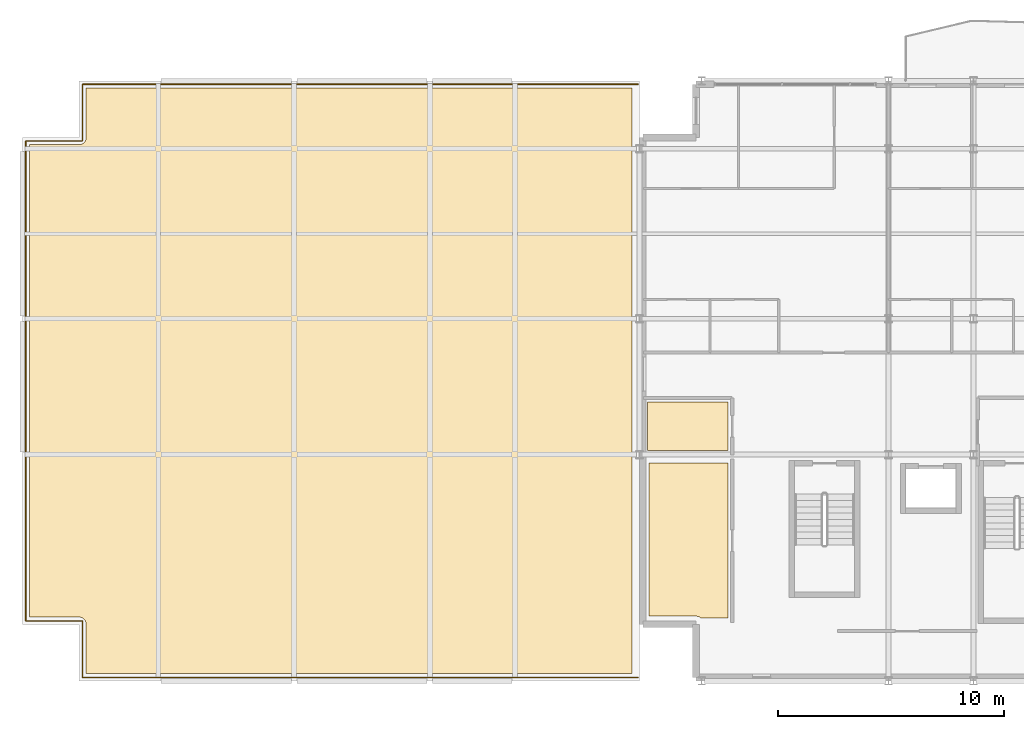
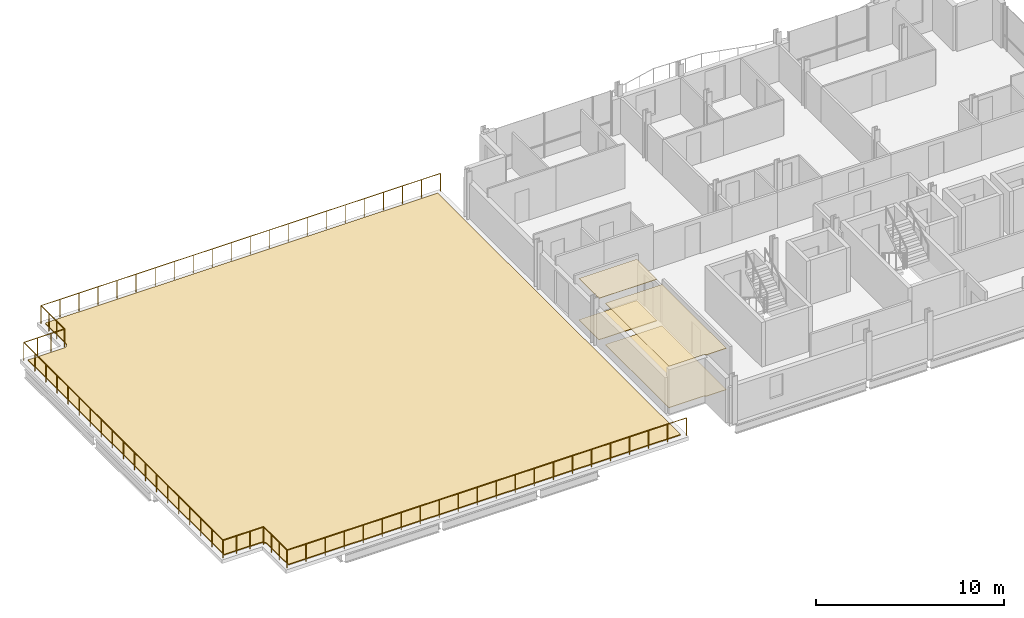
# One storey, part 16 of 17: 5 coverings, 1 railing.
"""IFC4 building model written with IfcOpenShell, lengths in metres."""

import ifcopenshell
import ifcopenshell.guid

model = None  # the IFC model being written
_history = None  # IfcOwnerHistory: only IFC2X3 demands one
_inside = {}  # id of a spatial element -> (the spatial element, [elements in it])
_under = {}  # id of a project, library or spatial element -> (it, [spatial elements below it])
_declared = {}  # id of a project -> (the project, [libraries it declares])
_typed = {}  # id of a type object -> (the type object, [elements of that type])
_made_of = {}  # id of a material, layer set ... -> (it, [elements and type objects made of it])


def new_model(schema):
    """Start an empty IFC model of exactly this schema.

    Asked for "IFC4X3", IfcOpenShell would pick the latest addendum, in which some entities
    have other attributes; the version numbers below select the first issue.
    IFC2X3 requires an IfcOwnerHistory on every rooted entity: one is made here for all.
    """
    global model, _history
    if schema == "IFC4X3":
        model = ifcopenshell.file(schema_version=(4, 3, 0, 0))
    else:
        model = ifcopenshell.file(schema=schema)
    _inside.clear()
    _under.clear()
    _declared.clear()
    _typed.clear()
    _made_of.clear()
    _history = None
    if model.schema == "IFC2X3":
        org = make("IfcOrganization", Name="unknown")
        user = make(
            "IfcPersonAndOrganization",
            ThePerson=make("IfcPerson", FamilyName="unknown"),
            TheOrganization=org,
        )
        app = make(
            "IfcApplication",
            ApplicationDeveloper=org,
            Version="unknown",
            ApplicationFullName="unknown",
            ApplicationIdentifier="unknown",
        )
        _history = make(
            "IfcOwnerHistory",
            OwningUser=user,
            OwningApplication=app,
            ChangeAction="ADDED",
            CreationDate=0,
        )
    return model


def make(cls, **values):
    """One entity of the class cls with the attributes given. An attribute that is None is left unset."""
    return model.create_entity(
        cls, **{name: value for name, value in values.items() if value is not None}
    )


def rooted(cls, **values):
    """An entity with a GlobalId (a new one), such as an element, a storey or a relation."""
    return make(cls, GlobalId=ifcopenshell.guid.new(), OwnerHistory=_history, **values)


def si_unit(unit_type, name, prefix=None):
    """IfcSIUnit, for example si_unit("LENGTHUNIT", "METRE", prefix="MILLI")."""
    return make("IfcSIUnit", UnitType=unit_type, Prefix=prefix, Name=name)


def assignment(units):
    """IfcUnitAssignment: the units of a project."""
    return None if units is None else make("IfcUnitAssignment", Units=units)


def point(xyz):
    """IfcCartesianPoint."""
    return None if xyz is None else make("IfcCartesianPoint", Coordinates=xyz)


def direction(xyz):
    """IfcDirection."""
    return None if xyz is None else make("IfcDirection", DirectionRatios=xyz)


def frame(location, z_axis=None, x_axis=None):
    """IfcAxis2Placement3D, a coordinate frame: its origin and axes. An axis left out is left unset."""
    return make(
        "IfcAxis2Placement3D",
        Location=point(location),
        Axis=direction(z_axis),
        RefDirection=direction(x_axis),
    )


def frame_2d(location, x_axis=None):
    """IfcAxis2Placement2D, a coordinate frame in the plane: its origin and x axis."""
    return make(
        "IfcAxis2Placement2D", Location=point(location), RefDirection=direction(x_axis)
    )


def origin():
    """The frame at (0, 0, 0) with its axes left unset."""
    return frame((0.0, 0.0, 0.0))


def origin_2d():
    """The frame at (0, 0) in the plane with its x axis left unset."""
    return frame_2d((0.0, 0.0))


def place(relative_to, where):
    """IfcLocalPlacement: puts the frame where relative to a parent placement (None: the world)."""
    return make(
        "IfcLocalPlacement", PlacementRelTo=relative_to, RelativePlacement=where
    )


def context(
    kind, dimensions, precision=None, world=None, true_north=None, identifier=None
):
    """IfcGeometricRepresentationContext, for example the 3D "Model" context."""
    return make(
        "IfcGeometricRepresentationContext",
        ContextIdentifier=identifier,
        ContextType=kind,
        CoordinateSpaceDimension=dimensions,
        Precision=precision,
        WorldCoordinateSystem=world,
        TrueNorth=true_north,
    )


def subcontext(parent, identifier, kind, view, scale=None):
    """IfcGeometricRepresentationSubContext, for example "Body" below "Model"."""
    return make(
        "IfcGeometricRepresentationSubContext",
        ContextIdentifier=identifier,
        ContextType=kind,
        ParentContext=parent,
        TargetScale=scale,
        TargetView=view,
    )


def project(units=None, contexts=None):
    """IfcProject with its units and contexts."""
    return rooted(
        "IfcProject",
        Name="project",
        RepresentationContexts=contexts,
        UnitsInContext=assignment(units),
    )


def spatial(cls, under=None, at=None, **own):
    """A site, building, storey or space (cls), placed at a placement, below another one or the project."""
    s = rooted(cls, ObjectPlacement=at, **own)
    if under is not None:
        _under.setdefault(under.id(), (under, []))[1].append(s)
    return s


def polyline(points):
    """IfcPolyline through the points."""
    return make("IfcPolyline", Points=[point(p) for p in points])


def profile(cls, at=None, kind="AREA", **sizes):
    """A parametric profile (cls). Its sizes go by their IFC names, for example OverallWidth=200.0."""
    return make(cls, ProfileType=kind, Position=at, **sizes)


def circle(**sizes):
    """IfcCircleProfileDef."""
    return profile("IfcCircleProfileDef", **sizes)


def outline(outer, holes=None, kind="AREA"):
    """IfcArbitraryClosedProfileDef: a profile drawn as a closed curve; with holes, ...WithVoids."""
    if holes is None:
        return make("IfcArbitraryClosedProfileDef", ProfileType=kind, OuterCurve=outer)
    return make(
        "IfcArbitraryProfileDefWithVoids",
        ProfileType=kind,
        OuterCurve=outer,
        InnerCurves=holes,
    )


def extrude(swept, where, along, depth):
    """IfcExtrudedAreaSolid: the profile swept, set in the frame where, extruded along a direction by depth."""
    return make(
        "IfcExtrudedAreaSolid",
        SweptArea=swept,
        Position=where,
        ExtrudedDirection=direction(along),
        Depth=depth,
    )


def shape(context_of_items, identifier, shape_type, items):
    """IfcShapeRepresentation: the items that make up one representation, for example the "Body"."""
    return make(
        "IfcShapeRepresentation",
        ContextOfItems=context_of_items,
        RepresentationIdentifier=identifier,
        RepresentationType=shape_type,
        Items=items,
    )


def material(Name=None, Category=None):
    """IfcMaterial."""
    return make("IfcMaterial", Name=Name, Category=Category)


def layer(
    of_material, thickness, ventilated=None, Name=None, Category=None, Priority=None
):
    """IfcMaterialLayer: one layer of a wall or slab, of a material (None: an air gap)."""
    return make(
        "IfcMaterialLayer",
        Material=of_material,
        LayerThickness=thickness,
        IsVentilated=ventilated,
        Name=Name,
        Category=Category,
        Priority=Priority,
    )


def layer_set(layers, Name=None):
    """IfcMaterialLayerSet."""
    return make("IfcMaterialLayerSet", MaterialLayers=layers, LayerSetName=Name)


def made_of(thing, what):
    """Note that an element or type object is made of a material, layer set ...; save() writes the relation."""
    if what is not None:
        _made_of.setdefault(what.id(), (what, []))[1].append(thing)
    return thing


def type_object(cls, material=None, **own):
    """A type object (cls), such as IfcWallType, which elements share."""
    return made_of(rooted(cls, **own), material)


def element(
    cls,
    number,
    at=None,
    inside=None,
    cuts=None,
    type_object=None,
    material=None,
    context=None,
    identifier="Body",
    shape_type=None,
    held_by="IfcProductDefinitionShape",
    body=None,
    shapes=None,
    **own,
):
    """One element of the class cls, such as IfcWall. Its Tag is "e" and its number.

    at: its placement. inside: the storey or other place that contains it. cuts: it is an
    opening in that element (IfcRelVoidsElement). A single representation is given by context,
    identifier, shape_type and body (its items); several are given by shapes. held_by: the class
    of the entity that holds the representations. save() writes the other relations.
    """
    e = rooted(cls, Tag="e%d" % number, ObjectPlacement=at, **own)
    if body is not None:
        shapes = [shape(context, identifier, shape_type, body)]
    if shapes is not None:
        e.Representation = make(held_by, Representations=shapes)
    if inside is not None:
        _inside.setdefault(inside.id(), (inside, []))[1].append(e)
    if cuts is not None:
        rooted(
            "IfcRelVoidsElement", RelatingBuildingElement=cuts, RelatedOpeningElement=e
        )
    if type_object is not None:
        _typed.setdefault(type_object.id(), (type_object, []))[1].append(e)
    return made_of(e, material)


def aggregate(whole, parts):
    """IfcRelAggregates: a whole, such as a stair, and the parts it consists of."""
    return rooted("IfcRelAggregates", RelatingObject=whole, RelatedObjects=parts)


def save(model, path):
    """Write the relations noted so far, then the file.

    IfcRelAggregates (storeys below a building ...), IfcRelContainedInSpatialStructure (elements
    in a storey), IfcRelDefinesByType, IfcRelAssociatesMaterial and IfcRelDeclares: one each for
    every whole, place, type object, material and project.
    """
    for whole, parts in _under.values():
        aggregate(whole, parts)
    for where, things in _inside.values():
        rooted(
            "IfcRelContainedInSpatialStructure",
            RelatedElements=things,
            RelatingStructure=where,
        )
    for kind, things in _typed.values():
        rooted("IfcRelDefinesByType", RelatedObjects=things, RelatingType=kind)
    for what, things in _made_of.values():
        rooted("IfcRelAssociatesMaterial", RelatedObjects=things, RelatingMaterial=what)
    for by, libraries in _declared.values():
        rooted("IfcRelDeclares", RelatingContext=by, RelatedDefinitions=libraries)
    model.write(path)


model = new_model("IFC4")

# Units and contexts
model_context = context("Model", 3, precision=1e-05, world=origin(), true_north=direction((0.0, 1.0)))
body_context = subcontext(model_context, "Body", "Model", "MODEL_VIEW")
ifc_project = project(units=[si_unit("LENGTHUNIT", "METRE"), si_unit("AREAUNIT", "SQUARE_METRE"), si_unit("VOLUMEUNIT", "CUBIC_METRE"), si_unit("PLANEANGLEUNIT", "RADIAN"), si_unit("MASSUNIT", "GRAM", prefix="KILO")], contexts=[model_context])

# Site, building, storey
site_placement = place(None, origin())
site = spatial("IfcSite", under=ifc_project, at=site_placement, CompositionType="ELEMENT")
building_placement = place(site_placement, origin())
building = spatial("IfcBuilding", under=site, at=building_placement, Name="Brevholm Reach", CompositionType="ELEMENT")
storey_placement = place(building_placement, frame((0.0, 0.0, 221.10009765625)))
storey = spatial("IfcBuildingStorey", under=building, at=storey_placement, Name="L67", CompositionType="ELEMENT", Elevation=221.10009765625)

# Coverings
ifc_material_1 = material(Name="Moisture-Resistant Skimmed Gypsum Plasterboard Ceiling", Category="gypsum")
ifc_layer_1 = layer(ifc_material_1, 0.030029296875)
ifc_layer_set_1 = layer_set([ifc_layer_1], Name="Moisture-Resistant Skimmed Gypsum Plasterboard Ceiling")
covering_type_1 = type_object("IfcCoveringType", Name="COV-CLG-GYP", PredefinedType="CEILING", material=ifc_layer_set_1)
covering_1_placement = place(storey_placement, frame((0.0, 0.0, 2.68994140625)))
element("IfcCovering", 1, at=covering_1_placement, inside=storey, type_object=covering_type_1, Name="L67 Suspended Ceiling L67-11", PredefinedType="CEILING", context=body_context, shape_type="SweptSolid", body=[
    extrude(outline(polyline([(31.166015625, 9.6201171875), (31.166015625, 2.780029296875), (29.9736328125, 2.780029296875), (29.94189453125, 2.803466796875), (29.92724609375, 2.81298828125), (29.911865234375, 2.821533203125), (29.8955078125, 2.828125), (29.845703125, 2.845947265625), (29.82470703125, 2.85205078125), (29.802978515625, 2.855712890625), (29.767822265625, 2.859130859375), (29.75, 2.860107421875), (27.679931640625, 2.860107421875), (27.679931640625, 9.6201171875), (31.166015625, 9.6201171875)])), origin(), (0.0, 0.0, 1.0), 0.030029296875),
])
covering_2_placement = place(storey_placement, frame((0.0, 0.0, 2.68994140625)))
element("IfcCovering", 2, at=covering_2_placement, inside=storey, type_object=covering_type_1, Name="L67 Suspended Ceiling L67-20", PredefinedType="CEILING", context=body_context, shape_type="SweptSolid", body=[
    extrude(outline(polyline([(27.610107421875, 10.179931640625), (27.610107421875, 12.31591796875), (31.166015625, 12.31591796875), (31.166015625, 10.179931640625), (27.610107421875, 10.179931640625)])), origin(), (0.0, 0.0, 1.0), 0.030029296875),
])
ifc_material_2 = material(Name="Honed Portland-Aggregate Resin Terrazzo Flooring", Category="concrete")
ifc_layer_2 = layer(ifc_material_2, 0.031982421875)
ifc_layer_set_2 = layer_set([ifc_layer_2], Name="Honed Portland-Aggregate Resin Terrazzo Flooring")
covering_type_2 = type_object("IfcCoveringType", Name="COV-FLR-TRZ", PredefinedType="FLOORING", material=ifc_layer_set_2)
covering_3_placement = place(storey_placement, origin())
element("IfcCovering", 3, at=covering_3_placement, inside=storey, type_object=covering_type_2, Name="L67 Floor Finish L67-11", PredefinedType="FLOORING", context=body_context, shape_type="SweptSolid", body=[
    extrude(outline(polyline([(31.166015625, 9.6201171875), (31.166015625, 2.780029296875), (29.9736328125, 2.780029296875), (29.94189453125, 2.803466796875), (29.92724609375, 2.81298828125), (29.911865234375, 2.821533203125), (29.8955078125, 2.828125), (29.845703125, 2.845947265625), (29.82470703125, 2.85205078125), (29.802978515625, 2.855712890625), (29.767822265625, 2.859130859375), (29.75, 2.860107421875), (27.679931640625, 2.860107421875), (27.679931640625, 9.6201171875), (31.166015625, 9.6201171875)])), origin(), (0.0, 0.0, 1.0), 0.031982421875),
])
covering_4_placement = place(storey_placement, origin())
element("IfcCovering", 4, at=covering_4_placement, inside=storey, type_object=covering_type_2, Name="L67 Floor Finish L67-20", PredefinedType="FLOORING", context=body_context, shape_type="SweptSolid", body=[
    extrude(outline(polyline([(27.610107421875, 10.179931640625), (27.610107421875, 12.31591796875), (31.166015625, 12.31591796875), (31.166015625, 10.179931640625), (27.610107421875, 10.179931640625)])), origin(), (0.0, 0.0, 1.0), 0.031982421875),
])
ifc_material_3 = material(Name="SBS Polymer-Modified Bitumen Waterproofing and Paver Membrane", Category="membrane")
ifc_layer_3 = layer(ifc_material_3, 0.06494140625)
ifc_layer_set_3 = layer_set([ifc_layer_3], Name="SBS Polymer-Modified Bitumen Waterproofing and Paver Membrane")
covering_type_3 = type_object("IfcCoveringType", Name="COV-ROF-65", PredefinedType="ROOFING", material=ifc_layer_set_3)
covering_5_placement = place(storey_placement, frame((0.0, 0.0, 0.02978515625)))
element("IfcCovering", 5, at=covering_5_placement, inside=storey, type_object=covering_type_3, Name="L67 Waterproof Terrace Roofing Membrane 6", PredefinedType="ROOFING", context=body_context, shape_type="SweptSolid", body=[
    extrude(outline(polyline([(2.820068359375, 0.320068359375), (2.820068359375, 2.5), (2.818603515625, 2.531494140625), (2.81396484375, 2.5625), (2.80615234375, 2.593017578125), (2.795654296875, 2.62255859375), (2.7822265625, 2.65087890625), (2.76611328125, 2.677734375), (2.747314453125, 2.702880859375), (2.726318359375, 2.726318359375), (2.702880859375, 2.747314453125), (2.677734375, 2.76611328125), (2.65087890625, 2.7822265625), (2.62255859375, 2.795654296875), (2.593017578125, 2.80615234375), (2.5625, 2.81396484375), (2.531494140625, 2.818603515625), (2.5, 2.820068359375), (0.320068359375, 2.820068359375), (0.320068359375, 23.679931640625), (2.5, 23.679931640625), (2.531494140625, 23.681396484375), (2.5625, 23.68603515625), (2.593017578125, 23.69384765625), (2.62255859375, 23.704345703125), (2.65087890625, 23.7177734375), (2.677734375, 23.73388671875), (2.702880859375, 23.752685546875), (2.726318359375, 23.773681640625), (2.747314453125, 23.797119140625), (2.76611328125, 23.822265625), (2.7822265625, 23.84912109375), (2.795654296875, 23.87744140625), (2.80615234375, 23.906982421875), (2.81396484375, 23.9375), (2.818603515625, 23.968505859375), (2.820068359375, 24.0), (2.820068359375, 26.179931640625), (26.929931640625, 26.179931640625), (26.929931640625, 0.320068359375), (2.820068359375, 0.320068359375)])), origin(), (0.0, 0.0, 1.0), 0.065185546875),
])

# Railing
ifc_material_4 = material(Name="Brushed Stainless Steel EN 1.4401 and Laminated Glass", Category="steel")
railing_type = type_object("IfcRailingType", Name="RAL-TERR-1200", PredefinedType="BALUSTRADE", material=ifc_material_4)
railing_placement = place(storey_placement, frame((27.199951171875, 26.35009765625, 0.0)))
element("IfcRailing", 6, at=railing_placement, inside=storey, type_object=railing_type, Name="L67 Guard Balustrade RAL-L67-SUNSET", PredefinedType="BALUSTRADE", context=body_context, shape_type="SweptSolid", body=[
    extrude(circle(Radius=0.02392578125, at=origin_2d()), frame((0.0, 0.0, 1.17578125), z_axis=(-1.0, 0.0, 0.0), x_axis=(0.0, -1.0, 0.0)), (0.0, 0.0, 1.0), 24.550048828125),
    extrude(circle(Radius=0.02392578125, at=origin_2d()), frame((-24.550048828125, 0.0, 1.17578125), z_axis=(0.0, -1.0, 0.0), x_axis=(1.0, 0.0, 0.0)), (0.0, 0.0, 1.0), 2.5),
    extrude(circle(Radius=0.02392578125, at=origin_2d()), frame((-24.550048828125, -2.5, 1.17578125), z_axis=(-1.0, 0.0, 0.0), x_axis=(0.0, -1.0, 0.0)), (0.0, 0.0, 1.0), 2.5),
    extrude(circle(Radius=0.02392578125, at=origin_2d()), frame((-27.050048828125, -2.5, 1.17578125), z_axis=(0.0, -1.0, 0.0), x_axis=(1.0, 0.0, 0.0)), (0.0, 0.0, 1.0), 21.2001953125),
    extrude(circle(Radius=0.02392578125, at=origin_2d()), frame((-27.050048828125, -23.7001953125, 1.17578125), z_axis=(1.0, 0.0, 0.0), x_axis=(0.0, 1.0, 0.0)), (0.0, 0.0, 1.0), 2.5),
    extrude(circle(Radius=0.02392578125, at=origin_2d()), frame((-24.550048828125, -23.7001953125, 1.17578125), z_axis=(0.0, -1.0, 0.0), x_axis=(1.0, 0.0, 0.0)), (0.0, 0.0, 1.0), 2.5),
    extrude(circle(Radius=0.02392578125, at=origin_2d()), frame((-24.550048828125, -26.2001953125, 1.17578125), z_axis=(1.0, 0.0, 0.0), x_axis=(0.0, 1.0, 0.0)), (0.0, 0.0, 1.0), 24.550048828125),
    extrude(circle(Radius=0.02099609375, at=origin_2d()), origin(), (0.0, 0.0, 1.0), 1.15185546875),
    extrude(circle(Radius=0.02099609375, at=origin_2d()), frame((-1.1689453125, 0.0, 0.0)), (0.0, 0.0, 1.0), 1.15185546875),
    extrude(circle(Radius=0.02099609375, at=origin_2d()), frame((-2.338134765625, 0.0, 0.0)), (0.0, 0.0, 1.0), 1.15185546875),
    extrude(circle(Radius=0.02099609375, at=origin_2d()), frame((-3.507080078125, 0.0, 0.0)), (0.0, 0.0, 1.0), 1.15185546875),
    extrude(circle(Radius=0.02099609375, at=origin_2d()), frame((-4.67626953125, 0.0, 0.0)), (0.0, 0.0, 1.0), 1.15185546875),
    extrude(circle(Radius=0.02099609375, at=origin_2d()), frame((-5.84521484375, 0.0, 0.0)), (0.0, 0.0, 1.0), 1.15185546875),
    extrude(circle(Radius=0.02099609375, at=origin_2d()), frame((-7.014404296875, 0.0, 0.0)), (0.0, 0.0, 1.0), 1.15185546875),
    extrude(circle(Radius=0.02099609375, at=origin_2d()), frame((-8.183349609375, 0.0, 0.0)), (0.0, 0.0, 1.0), 1.15185546875),
    extrude(circle(Radius=0.02099609375, at=origin_2d()), frame((-9.352294921875, 0.0, 0.0)), (0.0, 0.0, 1.0), 1.15185546875),
    extrude(circle(Radius=0.02099609375, at=origin_2d()), frame((-10.521484375, 0.0, 0.0)), (0.0, 0.0, 1.0), 1.15185546875),
    extrude(circle(Radius=0.02099609375, at=origin_2d()), frame((-11.6904296875, 0.0, 0.0)), (0.0, 0.0, 1.0), 1.15185546875),
    extrude(circle(Radius=0.02099609375, at=origin_2d()), frame((-12.859619140625, 0.0, 0.0)), (0.0, 0.0, 1.0), 1.15185546875),
    extrude(circle(Radius=0.02099609375, at=origin_2d()), frame((-14.028564453125, 0.0, 0.0)), (0.0, 0.0, 1.0), 1.15185546875),
    extrude(circle(Radius=0.02099609375, at=origin_2d()), frame((-15.19775390625, 0.0, 0.0)), (0.0, 0.0, 1.0), 1.15185546875),
    extrude(circle(Radius=0.02099609375, at=origin_2d()), frame((-16.36669921875, 0.0, 0.0)), (0.0, 0.0, 1.0), 1.15185546875),
    extrude(circle(Radius=0.02099609375, at=origin_2d()), frame((-17.53564453125, 0.0, 0.0)), (0.0, 0.0, 1.0), 1.15185546875),
    extrude(circle(Radius=0.02099609375, at=origin_2d()), frame((-18.704833984375, 0.0, 0.0)), (0.0, 0.0, 1.0), 1.15185546875),
    extrude(circle(Radius=0.02099609375, at=origin_2d()), frame((-19.873779296875, 0.0, 0.0)), (0.0, 0.0, 1.0), 1.15185546875),
    extrude(circle(Radius=0.02099609375, at=origin_2d()), frame((-21.04296875, 0.0, 0.0)), (0.0, 0.0, 1.0), 1.15185546875),
    extrude(circle(Radius=0.02099609375, at=origin_2d()), frame((-22.2119140625, 0.0, 0.0)), (0.0, 0.0, 1.0), 1.15185546875),
    extrude(circle(Radius=0.02099609375, at=origin_2d()), frame((-23.381103515625, 0.0, 0.0)), (0.0, 0.0, 1.0), 1.15185546875),
    extrude(circle(Radius=0.02099609375, at=origin_2d()), frame((-24.550048828125, 0.0, 0.0)), (0.0, 0.0, 1.0), 1.15185546875),
    extrude(circle(Radius=0.02099609375, at=origin_2d()), frame((-24.550048828125, -0.833251953125, 0.0)), (0.0, 0.0, 1.0), 1.15185546875),
    extrude(circle(Radius=0.02099609375, at=origin_2d()), frame((-24.550048828125, -1.666748046875, 0.0)), (0.0, 0.0, 1.0), 1.15185546875),
    extrude(circle(Radius=0.02099609375, at=origin_2d()), frame((-24.550048828125, -2.5, 0.0)), (0.0, 0.0, 1.0), 1.15185546875),
    extrude(circle(Radius=0.02099609375, at=origin_2d()), frame((-25.38330078125, -2.5, 0.0)), (0.0, 0.0, 1.0), 1.15185546875),
    extrude(circle(Radius=0.02099609375, at=origin_2d()), frame((-26.216796875, -2.5, 0.0)), (0.0, 0.0, 1.0), 1.15185546875),
    extrude(circle(Radius=0.02099609375, at=origin_2d()), frame((-27.050048828125, -2.5, 0.0)), (0.0, 0.0, 1.0), 1.15185546875),
    extrude(circle(Radius=0.02099609375, at=origin_2d()), frame((-27.050048828125, -3.677734375, 0.0)), (0.0, 0.0, 1.0), 1.15185546875),
    extrude(circle(Radius=0.02099609375, at=origin_2d()), frame((-27.050048828125, -4.85546875, 0.0)), (0.0, 0.0, 1.0), 1.15185546875),
    extrude(circle(Radius=0.02099609375, at=origin_2d()), frame((-27.050048828125, -6.033447265625, 0.0)), (0.0, 0.0, 1.0), 1.15185546875),
    extrude(circle(Radius=0.02099609375, at=origin_2d()), frame((-27.050048828125, -7.211181640625, 0.0)), (0.0, 0.0, 1.0), 1.15185546875),
    extrude(circle(Radius=0.02099609375, at=origin_2d()), frame((-27.050048828125, -8.388916015625, 0.0)), (0.0, 0.0, 1.0), 1.15185546875),
    extrude(circle(Radius=0.02099609375, at=origin_2d()), frame((-27.050048828125, -9.566650390625, 0.0)), (0.0, 0.0, 1.0), 1.15185546875),
    extrude(circle(Radius=0.02099609375, at=origin_2d()), frame((-27.050048828125, -10.74462890625, 0.0)), (0.0, 0.0, 1.0), 1.15185546875),
    extrude(circle(Radius=0.02099609375, at=origin_2d()), frame((-27.050048828125, -11.92236328125, 0.0)), (0.0, 0.0, 1.0), 1.15185546875),
    extrude(circle(Radius=0.02099609375, at=origin_2d()), frame((-27.050048828125, -13.10009765625, 0.0)), (0.0, 0.0, 1.0), 1.15185546875),
    extrude(circle(Radius=0.02099609375, at=origin_2d()), frame((-27.050048828125, -14.27783203125, 0.0)), (0.0, 0.0, 1.0), 1.15185546875),
    extrude(circle(Radius=0.02099609375, at=origin_2d()), frame((-27.050048828125, -15.45556640625, 0.0)), (0.0, 0.0, 1.0), 1.15185546875),
    extrude(circle(Radius=0.02099609375, at=origin_2d()), frame((-27.050048828125, -16.633544921875, 0.0)), (0.0, 0.0, 1.0), 1.15185546875),
    extrude(circle(Radius=0.02099609375, at=origin_2d()), frame((-27.050048828125, -17.811279296875, 0.0)), (0.0, 0.0, 1.0), 1.15185546875),
    extrude(circle(Radius=0.02099609375, at=origin_2d()), frame((-27.050048828125, -18.989013671875, 0.0)), (0.0, 0.0, 1.0), 1.15185546875),
    extrude(circle(Radius=0.02099609375, at=origin_2d()), frame((-27.050048828125, -20.166748046875, 0.0)), (0.0, 0.0, 1.0), 1.15185546875),
    extrude(circle(Radius=0.02099609375, at=origin_2d()), frame((-27.050048828125, -21.3447265625, 0.0)), (0.0, 0.0, 1.0), 1.15185546875),
    extrude(circle(Radius=0.02099609375, at=origin_2d()), frame((-27.050048828125, -22.5224609375, 0.0)), (0.0, 0.0, 1.0), 1.15185546875),
    extrude(circle(Radius=0.02099609375, at=origin_2d()), frame((-27.050048828125, -23.7001953125, 0.0)), (0.0, 0.0, 1.0), 1.15185546875),
    extrude(circle(Radius=0.02099609375, at=origin_2d()), frame((-26.216796875, -23.7001953125, 0.0)), (0.0, 0.0, 1.0), 1.15185546875),
    extrude(circle(Radius=0.02099609375, at=origin_2d()), frame((-25.38330078125, -23.7001953125, 0.0)), (0.0, 0.0, 1.0), 1.15185546875),
    extrude(circle(Radius=0.02099609375, at=origin_2d()), frame((-24.550048828125, -23.7001953125, 0.0)), (0.0, 0.0, 1.0), 1.15185546875),
    extrude(circle(Radius=0.02099609375, at=origin_2d()), frame((-24.550048828125, -24.533447265625, 0.0)), (0.0, 0.0, 1.0), 1.15185546875),
    extrude(circle(Radius=0.02099609375, at=origin_2d()), frame((-24.550048828125, -25.366943359375, 0.0)), (0.0, 0.0, 1.0), 1.15185546875),
    extrude(circle(Radius=0.02099609375, at=origin_2d()), frame((-24.550048828125, -26.2001953125, 0.0)), (0.0, 0.0, 1.0), 1.15185546875),
    extrude(circle(Radius=0.02099609375, at=origin_2d()), frame((-23.381103515625, -26.2001953125, 0.0)), (0.0, 0.0, 1.0), 1.15185546875),
    extrude(circle(Radius=0.02099609375, at=origin_2d()), frame((-22.2119140625, -26.2001953125, 0.0)), (0.0, 0.0, 1.0), 1.15185546875),
    extrude(circle(Radius=0.02099609375, at=origin_2d()), frame((-21.04296875, -26.2001953125, 0.0)), (0.0, 0.0, 1.0), 1.15185546875),
    extrude(circle(Radius=0.02099609375, at=origin_2d()), frame((-19.873779296875, -26.2001953125, 0.0)), (0.0, 0.0, 1.0), 1.15185546875),
    extrude(circle(Radius=0.02099609375, at=origin_2d()), frame((-18.704833984375, -26.2001953125, 0.0)), (0.0, 0.0, 1.0), 1.15185546875),
    extrude(circle(Radius=0.02099609375, at=origin_2d()), frame((-17.53564453125, -26.2001953125, 0.0)), (0.0, 0.0, 1.0), 1.15185546875),
    extrude(circle(Radius=0.02099609375, at=origin_2d()), frame((-16.36669921875, -26.2001953125, 0.0)), (0.0, 0.0, 1.0), 1.15185546875),
    extrude(circle(Radius=0.02099609375, at=origin_2d()), frame((-15.19775390625, -26.2001953125, 0.0)), (0.0, 0.0, 1.0), 1.15185546875),
    extrude(circle(Radius=0.02099609375, at=origin_2d()), frame((-14.028564453125, -26.2001953125, 0.0)), (0.0, 0.0, 1.0), 1.15185546875),
    extrude(circle(Radius=0.02099609375, at=origin_2d()), frame((-12.859619140625, -26.2001953125, 0.0)), (0.0, 0.0, 1.0), 1.15185546875),
    extrude(circle(Radius=0.02099609375, at=origin_2d()), frame((-11.6904296875, -26.2001953125, 0.0)), (0.0, 0.0, 1.0), 1.15185546875),
    extrude(circle(Radius=0.02099609375, at=origin_2d()), frame((-10.521484375, -26.2001953125, 0.0)), (0.0, 0.0, 1.0), 1.15185546875),
    extrude(circle(Radius=0.02099609375, at=origin_2d()), frame((-9.352294921875, -26.2001953125, 0.0)), (0.0, 0.0, 1.0), 1.15185546875),
    extrude(circle(Radius=0.02099609375, at=origin_2d()), frame((-8.183349609375, -26.2001953125, 0.0)), (0.0, 0.0, 1.0), 1.15185546875),
    extrude(circle(Radius=0.02099609375, at=origin_2d()), frame((-7.014404296875, -26.2001953125, 0.0)), (0.0, 0.0, 1.0), 1.15185546875),
    extrude(circle(Radius=0.02099609375, at=origin_2d()), frame((-5.84521484375, -26.2001953125, 0.0)), (0.0, 0.0, 1.0), 1.15185546875),
    extrude(circle(Radius=0.02099609375, at=origin_2d()), frame((-4.67626953125, -26.2001953125, 0.0)), (0.0, 0.0, 1.0), 1.15185546875),
    extrude(circle(Radius=0.02099609375, at=origin_2d()), frame((-3.507080078125, -26.2001953125, 0.0)), (0.0, 0.0, 1.0), 1.15185546875),
    extrude(circle(Radius=0.02099609375, at=origin_2d()), frame((-2.338134765625, -26.2001953125, 0.0)), (0.0, 0.0, 1.0), 1.15185546875),
    extrude(circle(Radius=0.02099609375, at=origin_2d()), frame((-1.1689453125, -26.2001953125, 0.0)), (0.0, 0.0, 1.0), 1.15185546875),
    extrude(circle(Radius=0.02099609375, at=origin_2d()), frame((0.0, -26.2001953125, 0.0)), (0.0, 0.0, 1.0), 1.15185546875),
])

save(model, "model.ifc")
